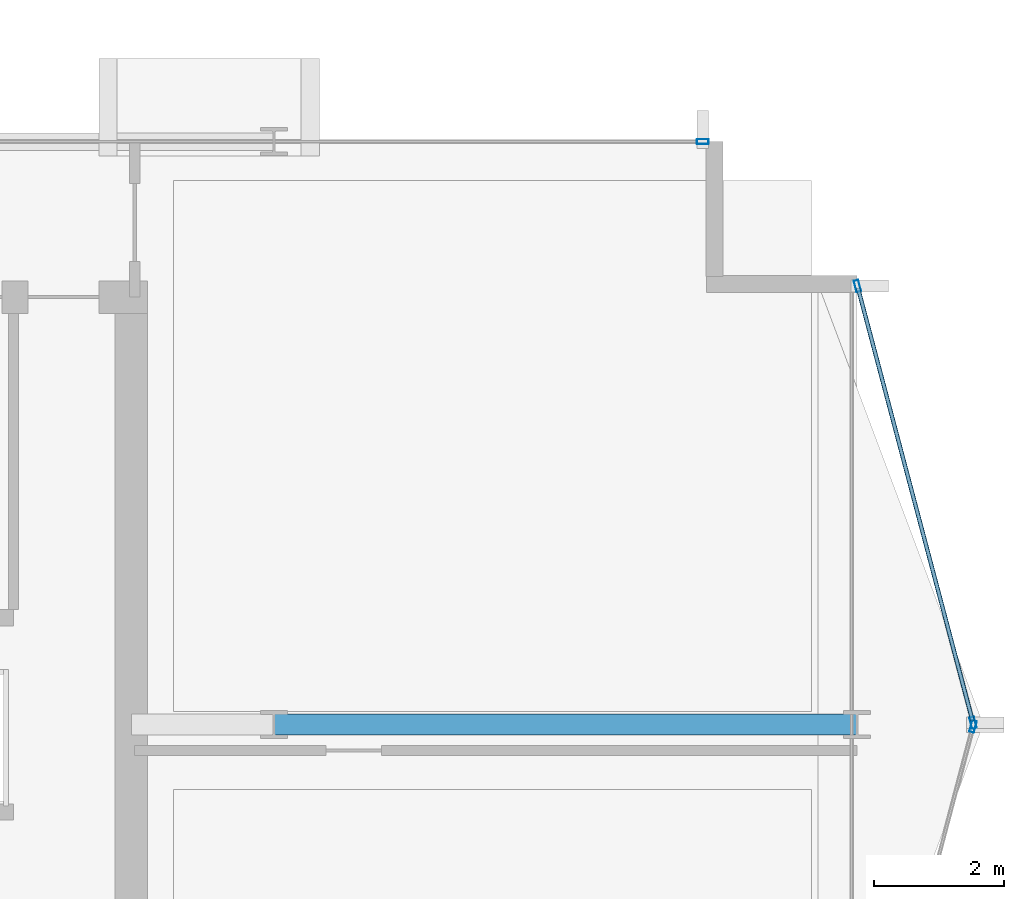
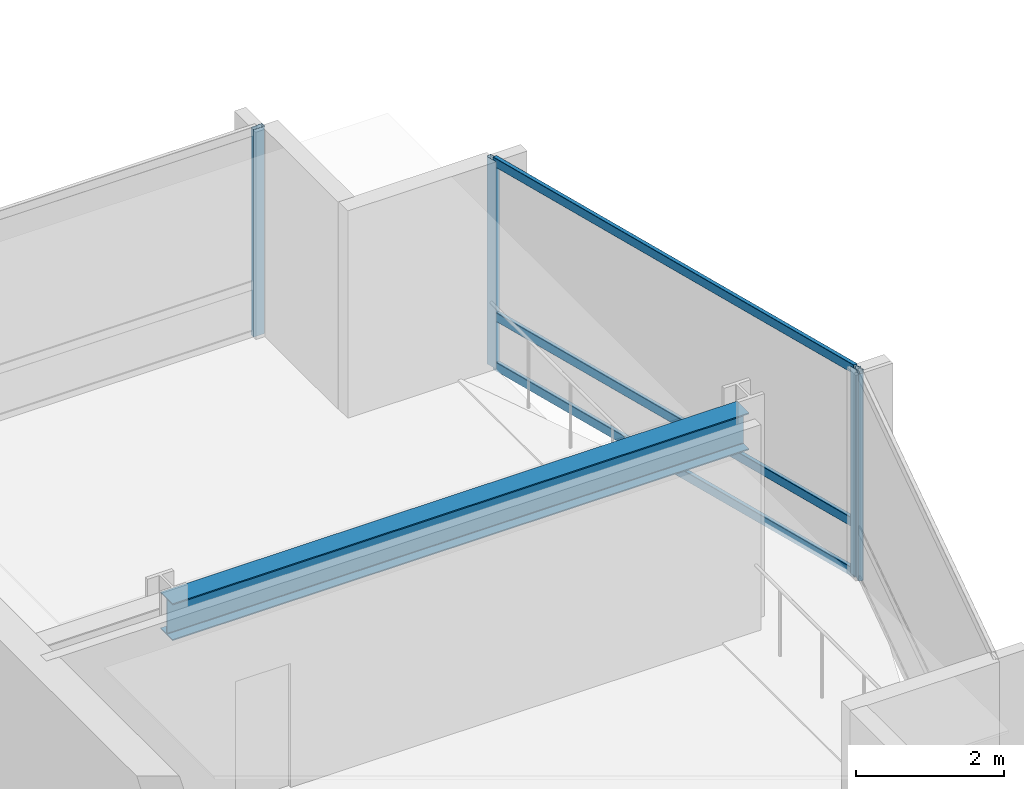
# One storey, part 14 of 28: 7 members, 1 beam, 3 elements without a shape of their own.
"""IFC4 building model written with IfcOpenShell, lengths in metres."""

from ifc_helpers import new_model, si_unit, direction, frame, origin, origin_2d, place, context, subcontext, project, spatial, hollow_rectangle, i_section, extrude, material, layer, layer_set, material_profile, profile_set, type_object, element, aggregate, save


model = new_model("IFC4")

# Units and contexts
model_context = context("Model", 3, precision=1e-05, world=origin(), true_north=direction((0.0, 1.0)))
body_context = subcontext(model_context, "Body", "Model", "MODEL_VIEW")
ifc_project = project(units=[si_unit("LENGTHUNIT", "METRE"), si_unit("AREAUNIT", "SQUARE_METRE"), si_unit("VOLUMEUNIT", "CUBIC_METRE"), si_unit("PLANEANGLEUNIT", "RADIAN"), si_unit("MASSUNIT", "GRAM", prefix="KILO")], contexts=[model_context])

# Site, building, storey
site_placement = place(None, origin())
site = spatial("IfcSite", under=ifc_project, at=site_placement, CompositionType="ELEMENT")
building_placement = place(site_placement, origin())
building = spatial("IfcBuilding", under=site, at=building_placement, Name="Solvaryn Broadcast Tower", CompositionType="ELEMENT")
storey_placement = place(building_placement, frame((0.0, 0.0, 150.699951171875)))
storey = spatial("IfcBuildingStorey", under=building, at=storey_placement, Name="L37", CompositionType="ELEMENT", Elevation=150.699951171875)

# Beam
ifc_material_1 = material(Name="Steel ASTM A992 Grade 50", Category="steel")
ifc_material_profile_1 = material_profile(ifc_material_1, i_section(OverallWidth=0.323974609375, OverallDepth=0.611083984375, WebThickness=0.0126953125, FlangeThickness=0.01904296875, FilletRadius=0.014892578125, at=origin_2d()))
ifc_profile_set_1 = profile_set([ifc_material_profile_1], Name="Steel ASTM A992 Grade 50")
beam_type = type_object("IfcBeamType", Name="BM-B1-W24X104", PredefinedType="BEAM", material=ifc_profile_set_1)
beam_placement = place(storey_placement, frame((45.0, 18.0, 3.114501953125), z_axis=(1.0, 0.0, 0.0), x_axis=(0.0, 1.0, 0.0)))
element("IfcBeam", 1, at=beam_placement, inside=storey, type_object=beam_type, Name="L37 Primary Beam X (45-54 @ Y=18)", PredefinedType="BEAM", context=body_context, shape_type="SweptSolid", body=[
    extrude(i_section(OverallWidth=0.323974609375, OverallDepth=0.611083984375, WebThickness=0.0126953125, FlangeThickness=0.01904296875, FilletRadius=0.014892578125, at=origin_2d()), origin(), (0.0, 0.0, 1.0), 9.0),
])

# Curtain wall, members
ifc_material_2 = material(Name="Aluminium and Terracotta Unitised Curtain Wall", Category="masonry")
ifc_layer = layer(ifc_material_2, 0.199951171875)
ifc_layer_set = layer_set([ifc_layer], Name="CW-SYS2-LOWMID")
curtain_wall_type = type_object("IfcCurtainWallType", Name="CW-SYS2-LOWMID", PredefinedType="NOTDEFINED", material=ifc_layer_set)
curtain_wall_1_placement = place(storey_placement, origin())
curtain_wall_1 = element("IfcCurtainWall", 2, at=curtain_wall_1_placement, inside=storey, type_object=curtain_wall_type, Name="L37 Curtain Wall ET1", PredefinedType="NOTDEFINED")
ifc_material_3 = material(Name="Anodised Aluminium 6063-T6", Category="aluminium")
ifc_material_profile_2 = material_profile(ifc_material_3, hollow_rectangle(XDim=0.074951171875, YDim=0.179931640625, WallThickness=0.00390625, InnerFilletRadius=0.00390625, OuterFilletRadius=0.008056640625, at=origin_2d()))
ifc_profile_set_2 = profile_set([ifc_material_profile_2], Name="Anodised Aluminium 6063-T6")
member_type_1 = type_object("IfcMemberType", Name="CW-MUL-180", PredefinedType="MULLION", material=ifc_profile_set_2)
member_1_placement = place(storey_placement, frame((54.007568359375, 24.77099609375, 0.0), z_axis=(0.0, 0.0, 1.0), x_axis=(0.966705227863, 0.25589256031, 0.0)))
member_1 = element("IfcMember", 3, at=member_1_placement, type_object=member_type_1, Name="CWS2 mullion 1", PredefinedType="MULLION", context=body_context, shape_type="SweptSolid", body=[
    extrude(hollow_rectangle(XDim=0.074951171875, YDim=0.179931640625, WallThickness=0.00390625, InnerFilletRadius=0.00390625, OuterFilletRadius=0.008056640625, at=origin_2d()), origin(), (0.0, 0.0, 1.0), 3.420166015625),
])
member_2_placement = place(storey_placement, frame((55.792236328125, 18.029052734375, 0.0), z_axis=(0.0, 0.0, 1.0), x_axis=(0.966705227863, 0.25589256031, 0.0)))
member_2 = element("IfcMember", 4, at=member_2_placement, type_object=member_type_1, Name="CWS2 mullion 2", PredefinedType="MULLION", context=body_context, shape_type="SweptSolid", body=[
    extrude(hollow_rectangle(XDim=0.074951171875, YDim=0.179931640625, WallThickness=0.00390625, InnerFilletRadius=0.00390625, OuterFilletRadius=0.008056640625, at=origin_2d()), origin(), (0.0, 0.0, 1.0), 3.420166015625),
])

# Curtain wall, member
curtain_wall_2_placement = place(storey_placement, origin())
curtain_wall_2 = element("IfcCurtainWall", 5, at=curtain_wall_2_placement, inside=storey, type_object=curtain_wall_type, Name="L37 Curtain Wall ET2", PredefinedType="NOTDEFINED")
member_3_placement = place(storey_placement, frame((55.792236328125, 17.970947265625, 0.0), z_axis=(0.0, 0.0, 1.0), x_axis=(0.966705227863, -0.25589256031, 0.0)))
member_3 = element("IfcMember", 6, at=member_3_placement, type_object=member_type_1, Name="CWS2 mullion 1", PredefinedType="MULLION", context=body_context, shape_type="SweptSolid", body=[
    extrude(hollow_rectangle(XDim=0.074951171875, YDim=0.179931640625, WallThickness=0.00390625, InnerFilletRadius=0.00390625, OuterFilletRadius=0.008056640625, at=origin_2d()), origin(), (0.0, 0.0, 1.0), 3.420166015625),
])
aggregate(curtain_wall_2, [member_3])

curtain_wall_3_placement = place(storey_placement, origin())
curtain_wall_3 = element("IfcCurtainWall", 7, at=curtain_wall_3_placement, inside=storey, type_object=curtain_wall_type, Name="L37 Curtain Wall IH", PredefinedType="NOTDEFINED")
member_4_placement = place(storey_placement, frame((51.6201171875, 27.0, 0.0), z_axis=(0.0, 0.0, 1.0), x_axis=(0.0, 1.0, 0.0)))
member_4 = element("IfcMember", 8, at=member_4_placement, type_object=member_type_1, Name="CWS2 mullion 2", PredefinedType="MULLION", context=body_context, shape_type="SweptSolid", body=[
    extrude(hollow_rectangle(XDim=0.074951171875, YDim=0.179931640625, WallThickness=0.00390625, InnerFilletRadius=0.00390625, OuterFilletRadius=0.008056640625, at=origin_2d()), origin(), (0.0, 0.0, 1.0), 3.420166015625),
])
aggregate(curtain_wall_3, [member_4])

# Member
ifc_material_4 = material(Name="Anodised Aluminium 6063-T6", Category="aluminium")
ifc_material_profile_3 = material_profile(ifc_material_4, hollow_rectangle(XDim=0.06494140625, YDim=0.14990234375, WallThickness=0.00390625, InnerFilletRadius=0.00390625, OuterFilletRadius=0.008056640625, at=origin_2d()))
ifc_profile_set_3 = profile_set([ifc_material_profile_3], Name="Anodised Aluminium 6063-T6")
member_type_2 = type_object("IfcMemberType", Name="CW-TRN-150", PredefinedType="USERDEFINED", material=ifc_profile_set_3)
member_5_placement = place(storey_placement, frame((54.015380859375, 24.741943359375, 0.030029296875), z_axis=(0.255897413051, -0.966703943301, 0.0), x_axis=(0.966703943301, 0.255897413051, 0.0)))
member_5 = element("IfcMember", 9, at=member_5_placement, type_object=member_type_2, Name="CWS2 transom 1.1", ObjectType="TRANSOM", PredefinedType="USERDEFINED", context=body_context, shape_type="SweptSolid", body=[
    extrude(hollow_rectangle(XDim=0.06494140625, YDim=0.14990234375, WallThickness=0.00390625, InnerFilletRadius=0.00390625, OuterFilletRadius=0.008056640625, at=origin_2d()), origin(), (0.0, 0.0, 1.0), 6.9140625),
])

member_6_placement = place(storey_placement, frame((54.015380859375, 24.741943359375, 0.85009765625), z_axis=(0.255897413051, -0.966703943301, 0.0), x_axis=(0.966703943301, 0.255897413051, 0.0)))
member_6 = element("IfcMember", 10, at=member_6_placement, type_object=member_type_2, Name="CWS2 transom 1.2", ObjectType="TRANSOM", PredefinedType="USERDEFINED", context=body_context, shape_type="SweptSolid", body=[
    extrude(hollow_rectangle(XDim=0.06494140625, YDim=0.14990234375, WallThickness=0.00390625, InnerFilletRadius=0.00390625, OuterFilletRadius=0.008056640625, at=origin_2d()), origin(), (0.0, 0.0, 1.0), 6.9140625),
])

member_7_placement = place(storey_placement, frame((54.015380859375, 24.741943359375, 3.39013671875), z_axis=(0.255897413051, -0.966703943301, 0.0), x_axis=(0.966703943301, 0.255897413051, 0.0)))
member_7 = element("IfcMember", 11, at=member_7_placement, type_object=member_type_2, Name="CWS2 transom 1.3", ObjectType="TRANSOM", PredefinedType="USERDEFINED", context=body_context, shape_type="SweptSolid", body=[
    extrude(hollow_rectangle(XDim=0.06494140625, YDim=0.14990234375, WallThickness=0.00390625, InnerFilletRadius=0.00390625, OuterFilletRadius=0.008056640625, at=origin_2d()), origin(), (0.0, 0.0, 1.0), 6.9140625),
])

aggregate(curtain_wall_1, [member_1, member_2, member_5, member_6, member_7])

save(model, "model.ifc")
